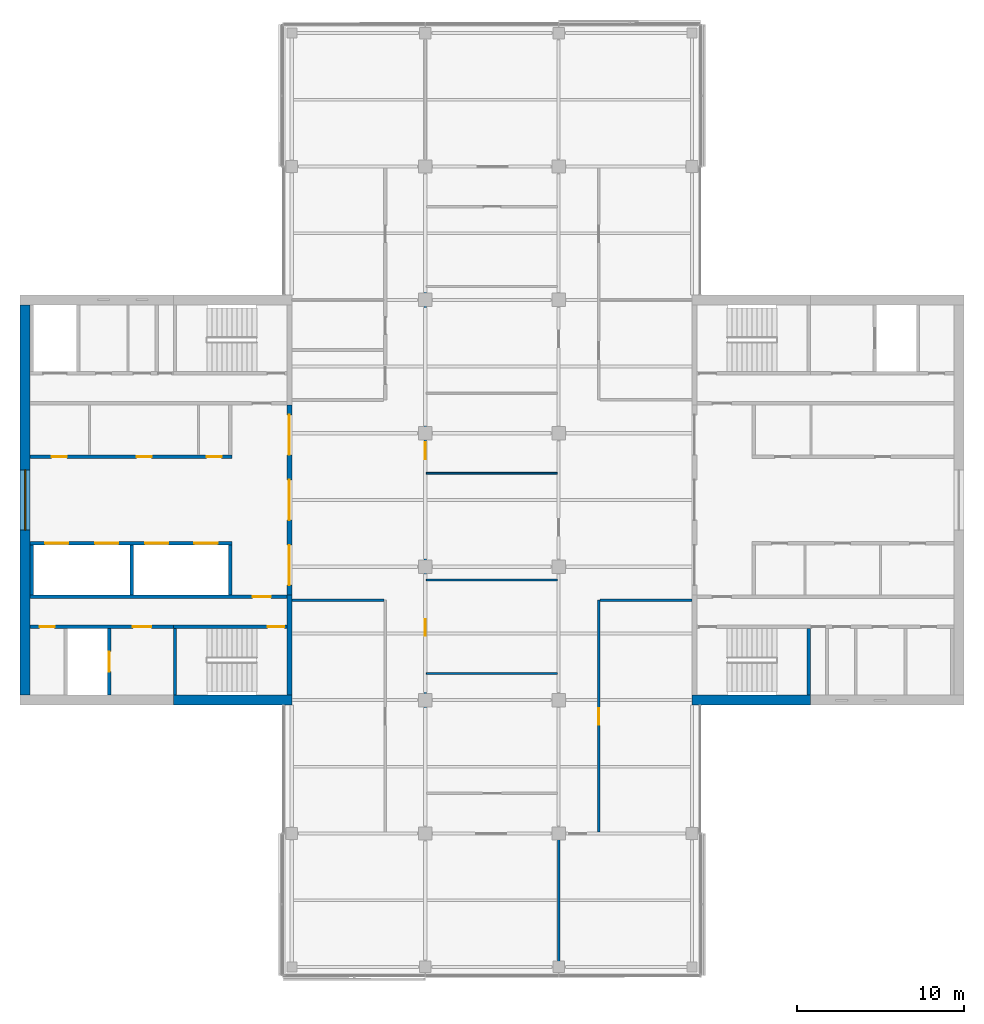
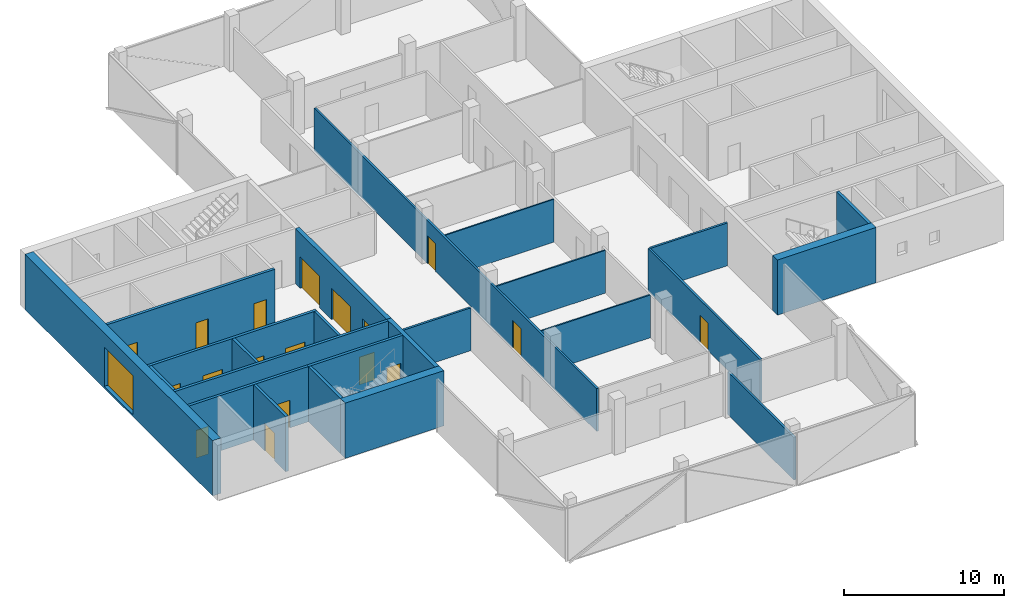
# One storey, part 9 of 15: 24 walls, 18 doors, 1 window, 19 openings.
"""IFC4 building model written with IfcOpenShell, lengths in metres."""

from ifc_helpers import new_model, si_unit, direction, frame, frame_2d, origin, place, context, subcontext, project, spatial, rectangle, extrude, material, layer, layer_set, constituent, constituent_set, type_object, element, fill, save


model = new_model("IFC4")

# Units and contexts
model_context = context("Model", 3, precision=1e-05, world=origin(), true_north=direction((0.0, 1.0)))
body_context = subcontext(model_context, "Body", "Model", "MODEL_VIEW")
ifc_project = project(units=[si_unit("LENGTHUNIT", "METRE"), si_unit("AREAUNIT", "SQUARE_METRE"), si_unit("VOLUMEUNIT", "CUBIC_METRE"), si_unit("PLANEANGLEUNIT", "RADIAN"), si_unit("MASSUNIT", "GRAM", prefix="KILO")], contexts=[model_context])

# Site, building, storey
site_placement = place(None, origin())
site = spatial("IfcSite", under=ifc_project, at=site_placement, CompositionType="ELEMENT")
building_placement = place(site_placement, origin())
building = spatial("IfcBuilding", under=site, at=building_placement, Name="Crosswind Convention Tower", CompositionType="ELEMENT")
storey_placement = place(building_placement, frame((0.0, 0.0, 233.5)))
storey = spatial("IfcBuildingStorey", under=building, at=storey_placement, Name="L50", CompositionType="ELEMENT", Elevation=233.5)

# Wall, openings, doors
ifc_material_1 = material(Name="Concrete C50/60", Category="concrete")
ifc_layer_1 = layer(ifc_material_1, 0.300048828125)
ifc_layer_set_1 = layer_set([ifc_layer_1], Name="Concrete C50/60")
wall_type_1 = type_object("IfcWallType", Name="Concrete inner core wall 300", PredefinedType="SHEAR", material=ifc_layer_set_1)
wall_1_placement = place(storey_placement, frame((112.85009765625, 105.699951171875, 0.0), z_axis=(0.0, 0.0, 1.0), x_axis=(0.0, -1.0, 0.0)))
wall_1 = element("IfcWall", 1, at=wall_1_placement, inside=storey, type_object=wall_type_1, Name="Wall SCR W L50", PredefinedType="SHEAR", context=body_context, shape_type="SweptSolid", body=[
    extrude(rectangle(XDim=11.39990234375, YDim=0.300048828125, at=frame_2d((5.699951171875, 0.0))), origin(), (0.0, 0.0, 1.0), 4.199951171875),
])
opening_1_placement = place(wall_1_placement, frame((0.60009765625, 0.0, 0.0)))
opening_1 = element("IfcOpeningElement", 2, at=opening_1_placement, cuts=wall_1, Name="Opening D100", PredefinedType="OPENING", context=body_context, shape_type="SweptSolid", body=[
    extrude(rectangle(XDim=2.39990234375, YDim=2.39990234375, at=frame_2d((1.199951171875, 1.199951171875))), frame((0.0, 0.159912109375, 0.0), z_axis=(0.0, -1.0, 0.0), x_axis=(1.0, 0.0, 0.0)), (0.0, 0.0, 1.0), 0.320068359375),
])
opening_2_placement = place(wall_1_placement, frame((4.5, 0.0, 0.0)))
opening_2 = element("IfcOpeningElement", 3, at=opening_2_placement, cuts=wall_1, Name="Opening D100", PredefinedType="OPENING", context=body_context, shape_type="SweptSolid", body=[
    extrude(rectangle(XDim=2.39990234375, YDim=2.39990234375, at=frame_2d((1.199951171875, 1.199951171875))), frame((0.0, 0.159912109375, 0.0), z_axis=(0.0, -1.0, 0.0), x_axis=(1.0, 0.0, 0.0)), (0.0, 0.0, 1.0), 0.320068359375),
])
opening_3_placement = place(wall_1_placement, frame((8.39990234375, 0.0, 0.0)))
opening_3 = element("IfcOpeningElement", 4, at=opening_3_placement, cuts=wall_1, Name="Opening D100", PredefinedType="OPENING", context=body_context, shape_type="SweptSolid", body=[
    extrude(rectangle(XDim=2.39990234375, YDim=2.39990234375, at=frame_2d((1.199951171875, 1.199951171875))), frame((0.0, 0.159912109375, 0.0), z_axis=(0.0, -1.0, 0.0), x_axis=(1.0, 0.0, 0.0)), (0.0, 0.0, 1.0), 0.320068359375),
])
ifc_material_2 = material(Name="Steel fire door with glazed vision panels", Category="steel")
door_type_1 = type_object("IfcDoorType", Name="Fire-rated double door 2400x2400", OperationType="DOUBLE_DOOR_SINGLE_SWING", PredefinedType="DOOR", material=ifc_material_2)
door_1_placement = place(opening_1_placement, origin())
door_1 = element("IfcDoor", 5, at=door_1_placement, inside=storey, type_object=door_type_1, Name="Lobby door 1 L50", ObjectType="D100", OperationType="DOUBLE_DOOR_SINGLE_SWING", OverallHeight=2.39990234375, OverallWidth=2.39990234375, PredefinedType="DOOR", context=body_context, shape_type="SweptSolid", body=[
    extrude(rectangle(XDim=2.39990234375, YDim=2.39990234375, at=frame_2d((1.199951171875, 1.199951171875))), frame((0.0, 0.02490234375, 0.0), z_axis=(0.0, -1.0, 0.0), x_axis=(1.0, 0.0, 0.0)), (0.0, 0.0, 1.0), 0.050048828125),
])
fill(opening_1, door_1)
door_2_placement = place(opening_2_placement, origin())
door_2 = element("IfcDoor", 6, at=door_2_placement, inside=storey, type_object=door_type_1, Name="Lobby door 2 L50", ObjectType="D100", OperationType="DOUBLE_DOOR_SINGLE_SWING", OverallHeight=2.39990234375, OverallWidth=2.39990234375, PredefinedType="DOOR", context=body_context, shape_type="SweptSolid", body=[
    extrude(rectangle(XDim=2.39990234375, YDim=2.39990234375, at=frame_2d((1.199951171875, 1.199951171875))), frame((0.0, 0.02490234375, 0.0), z_axis=(0.0, -1.0, 0.0), x_axis=(1.0, 0.0, 0.0)), (0.0, 0.0, 1.0), 0.050048828125),
])
fill(opening_2, door_2)
door_3_placement = place(opening_3_placement, origin())
door_3 = element("IfcDoor", 7, at=door_3_placement, inside=storey, type_object=door_type_1, Name="Lobby door 3 L50", ObjectType="D100", OperationType="DOUBLE_DOOR_SINGLE_SWING", OverallHeight=2.39990234375, OverallWidth=2.39990234375, PredefinedType="DOOR", context=body_context, shape_type="SweptSolid", body=[
    extrude(rectangle(XDim=2.39990234375, YDim=2.39990234375, at=frame_2d((1.199951171875, 1.199951171875))), frame((0.0, 0.02490234375, 0.0), z_axis=(0.0, -1.0, 0.0), x_axis=(1.0, 0.0, 0.0)), (0.0, 0.0, 1.0), 0.050048828125),
])
fill(opening_3, door_3)

# Walls
wall_2_placement = place(storey_placement, frame((112.85009765625, 94.300048828125, 0.0), z_axis=(0.0, 0.0, 1.0), x_axis=(0.0, -1.0, 0.0)))
element("IfcWall", 8, at=wall_2_placement, inside=storey, type_object=wall_type_1, Name="Wall EP W L50", PredefinedType="SHEAR", context=body_context, shape_type="SweptSolid", body=[
    extrude(rectangle(XDim=6.0, YDim=0.300048828125, at=frame_2d((3.0, 0.0))), origin(), (0.0, 0.0, 1.0), 4.199951171875),
])
ifc_layer_2 = layer(ifc_material_1, 0.199951171875)
ifc_layer_set_2 = layer_set([ifc_layer_2], Name="Concrete C50/60")
wall_type_2 = type_object("IfcWallType", Name="Concrete shaft and stair wall 200", PredefinedType="SHEAR", material=ifc_layer_set_2)
wall_3_placement = place(storey_placement, frame((144.0, 88.300048828125, 0.0), z_axis=(0.0, 0.0, 1.0), x_axis=(0.0, 1.0, 0.0)))
element("IfcWall", 9, at=wall_3_placement, inside=storey, type_object=wall_type_2, Name="Wall MSE E L50", PredefinedType="SHEAR", context=body_context, shape_type="SweptSolid", body=[
    extrude(rectangle(XDim=4.0, YDim=0.199951171875, at=frame_2d((2.0, 0.0))), origin(), (0.0, 0.0, 1.0), 4.199951171875),
])
for number, where, z_axis, x_axis, name in (
    (10, (109.300048828125, 97.300048828125, 0.0), (0.0, 0.0, 1.0), (0.0, -1.0, 0.0), "Wall RPEND W L50"),
    (11, (103.39990234375, 97.300048828125, 0.0), (0.0, 0.0, 1.0), (0.0, -1.0, 0.0), "Wall RPSEP W L50"),
    (12, (97.39990234375, 97.300048828125, 0.0), (0.0, 0.0, 1.0), (0.0, -1.0, 0.0), "Wall RPEAST W L50"),
):
    element("IfcWall", number, at=place(storey_placement, frame(where, z_axis=z_axis, x_axis=x_axis)), inside=storey, type_object=wall_type_2, Name=name, PredefinedType="SHEAR", context=body_context, shape_type="SweptSolid", body=[
        extrude(rectangle(XDim=3.0, YDim=0.199951171875, at=frame_2d((1.5, 0.0))), origin(), (0.0, 0.0, 1.0), 4.199951171875),
    ])

# Wall, openings, doors
wall_4_placement = place(storey_placement, frame((109.39990234375, 97.39990234375, 0.0), z_axis=(0.0, 0.0, 1.0), x_axis=(-1.0, 0.0, 0.0)))
wall_4 = element("IfcWall", 13, at=wall_4_placement, inside=storey, type_object=wall_type_2, Name="Wall RPFRONT W L50", PredefinedType="SHEAR", context=body_context, shape_type="SweptSolid", body=[
    extrude(rectangle(XDim=12.099853515625, YDim=0.199951171875, at=frame_2d((6.0498046875, 0.0))), origin(), (0.0, 0.0, 1.0), 4.199951171875),
])
opening_4_placement = place(wall_4_placement, frame((0.85009765625, 0.0, 0.0)))
opening_4 = element("IfcOpeningElement", 14, at=opening_4_placement, cuts=wall_4, Name="Opening LD2", PredefinedType="OPENING", context=body_context, shape_type="SweptSolid", body=[
    extrude(rectangle(XDim=1.39990234375, YDim=2.10009765625, at=frame_2d((0.699951171875, 1.050048828125))), frame((0.0, 0.10986328125, 0.0), z_axis=(0.0, -1.0, 0.0), x_axis=(1.0, 0.0, 0.0)), (0.0, 0.0, 1.0), 0.219970703125),
])
opening_5_placement = place(wall_4_placement, frame((3.800048828125, 0.0, 0.0)))
opening_5 = element("IfcOpeningElement", 15, at=opening_5_placement, cuts=wall_4, Name="Opening LD2", PredefinedType="OPENING", context=body_context, shape_type="SweptSolid", body=[
    extrude(rectangle(XDim=1.39990234375, YDim=2.10009765625, at=frame_2d((0.699951171875, 1.050048828125))), frame((0.0, 0.10986328125, 0.0), z_axis=(0.0, -1.0, 0.0), x_axis=(1.0, 0.0, 0.0)), (0.0, 0.0, 1.0), 0.219970703125),
])
opening_6_placement = place(wall_4_placement, frame((6.800048828125, 0.0, 0.0)))
opening_6 = element("IfcOpeningElement", 16, at=opening_6_placement, cuts=wall_4, Name="Opening LD2", PredefinedType="OPENING", context=body_context, shape_type="SweptSolid", body=[
    extrude(rectangle(XDim=1.39990234375, YDim=2.10009765625, at=frame_2d((0.699951171875, 1.050048828125))), frame((0.0, 0.10986328125, 0.0), z_axis=(0.0, -1.0, 0.0), x_axis=(1.0, 0.0, 0.0)), (0.0, 0.0, 1.0), 0.219970703125),
])
opening_7_placement = place(wall_4_placement, frame((9.800048828125, 0.0, 0.0)))
opening_7 = element("IfcOpeningElement", 17, at=opening_7_placement, cuts=wall_4, Name="Opening LD2", PredefinedType="OPENING", context=body_context, shape_type="SweptSolid", body=[
    extrude(rectangle(XDim=1.39990234375, YDim=2.10009765625, at=frame_2d((0.699951171875, 1.050048828125))), frame((0.0, 0.10986328125, 0.0), z_axis=(0.0, -1.0, 0.0), x_axis=(1.0, 0.0, 0.0)), (0.0, 0.0, 1.0), 0.219970703125),
])
ifc_material_3 = material(Name="Stainless steel", Category="steel")
door_type_2 = type_object("IfcDoorType", Name="Lift landing door 1400x2100", OperationType="DOUBLE_DOOR_SLIDING", PredefinedType="DOOR", material=ifc_material_3)
door_4_placement = place(opening_4_placement, origin())
door_4 = element("IfcDoor", 18, at=door_4_placement, inside=storey, type_object=door_type_2, Name="Landing door HR1 L50", ObjectType="LD2", OperationType="DOUBLE_DOOR_SLIDING", OverallHeight=2.10009765625, OverallWidth=1.39990234375, PredefinedType="DOOR", context=body_context, shape_type="SweptSolid", body=[
    extrude(rectangle(XDim=1.39990234375, YDim=2.10009765625, at=frame_2d((0.699951171875, 1.050048828125))), frame((0.0, 0.02490234375, 0.0), z_axis=(0.0, -1.0, 0.0), x_axis=(1.0, 0.0, 0.0)), (0.0, 0.0, 1.0), 0.050048828125),
])
fill(opening_4, door_4)
door_5_placement = place(opening_5_placement, origin())
door_5 = element("IfcDoor", 19, at=door_5_placement, inside=storey, type_object=door_type_2, Name="Landing door HR2 L50", ObjectType="LD2", OperationType="DOUBLE_DOOR_SLIDING", OverallHeight=2.10009765625, OverallWidth=1.39990234375, PredefinedType="DOOR", context=body_context, shape_type="SweptSolid", body=[
    extrude(rectangle(XDim=1.39990234375, YDim=2.10009765625, at=frame_2d((0.699951171875, 1.050048828125))), frame((0.0, 0.02490234375, 0.0), z_axis=(0.0, -1.0, 0.0), x_axis=(1.0, 0.0, 0.0)), (0.0, 0.0, 1.0), 0.050048828125),
])
fill(opening_5, door_5)
door_6_placement = place(opening_6_placement, origin())
door_6 = element("IfcDoor", 20, at=door_6_placement, inside=storey, type_object=door_type_2, Name="Landing door HR3 L50", ObjectType="LD2", OperationType="DOUBLE_DOOR_SLIDING", OverallHeight=2.10009765625, OverallWidth=1.39990234375, PredefinedType="DOOR", context=body_context, shape_type="SweptSolid", body=[
    extrude(rectangle(XDim=1.39990234375, YDim=2.10009765625, at=frame_2d((0.699951171875, 1.050048828125))), frame((0.0, 0.02490234375, 0.0), z_axis=(0.0, -1.0, 0.0), x_axis=(1.0, 0.0, 0.0)), (0.0, 0.0, 1.0), 0.050048828125),
])
fill(opening_6, door_6)
door_7_placement = place(opening_7_placement, origin())
door_7 = element("IfcDoor", 21, at=door_7_placement, inside=storey, type_object=door_type_2, Name="Landing door HR4 L50", ObjectType="LD2", OperationType="DOUBLE_DOOR_SLIDING", OverallHeight=2.10009765625, OverallWidth=1.39990234375, PredefinedType="DOOR", context=body_context, shape_type="SweptSolid", body=[
    extrude(rectangle(XDim=1.39990234375, YDim=2.10009765625, at=frame_2d((0.699951171875, 1.050048828125))), frame((0.0, 0.02490234375, 0.0), z_axis=(0.0, -1.0, 0.0), x_axis=(1.0, 0.0, 0.0)), (0.0, 0.0, 1.0), 0.050048828125),
])
fill(opening_7, door_7)

wall_5_placement = place(storey_placement, frame((109.39990234375, 102.60009765625, 0.0), z_axis=(0.0, 0.0, 1.0), x_axis=(-1.0, 0.0, 0.0)))
wall_5 = element("IfcWall", 22, at=wall_5_placement, inside=storey, type_object=wall_type_2, Name="Wall RMFRONT W L50", PredefinedType="SHEAR", context=body_context, shape_type="SweptSolid", body=[
    extrude(rectangle(XDim=12.099853515625, YDim=0.199951171875, at=frame_2d((6.0498046875, 0.0))), origin(), (0.0, 0.0, 1.0), 4.199951171875),
])
opening_8_placement = place(wall_5_placement, frame((0.611328125, 0.0, 0.0)))
opening_8 = element("IfcOpeningElement", 23, at=opening_8_placement, cuts=wall_5, Name="Opening D106", PredefinedType="OPENING", context=body_context, shape_type="SweptSolid", body=[
    extrude(rectangle(XDim=0.89990234375, YDim=2.10009765625, at=frame_2d((0.449951171875, 1.050048828125))), frame((0.0, 0.10986328125, 0.0), z_axis=(0.0, -1.0, 0.0), x_axis=(1.0, 0.0, 0.0)), (0.0, 0.0, 1.0), 0.219970703125),
])
opening_9_placement = place(wall_5_placement, frame((4.8076171875, 0.0, 0.0)))
opening_9 = element("IfcOpeningElement", 24, at=opening_9_placement, cuts=wall_5, Name="Opening D106", PredefinedType="OPENING", context=body_context, shape_type="SweptSolid", body=[
    extrude(rectangle(XDim=0.89990234375, YDim=2.10009765625, at=frame_2d((0.449951171875, 1.050048828125))), frame((0.0, 0.10986328125, 0.0), z_axis=(0.0, -1.0, 0.0), x_axis=(1.0, 0.0, 0.0)), (0.0, 0.0, 1.0), 0.219970703125),
])
opening_10_placement = place(wall_5_placement, frame((9.896240234375, 0.0, 0.0)))
opening_10 = element("IfcOpeningElement", 25, at=opening_10_placement, cuts=wall_5, Name="Opening D106", PredefinedType="OPENING", context=body_context, shape_type="SweptSolid", body=[
    extrude(rectangle(XDim=0.89990234375, YDim=2.10009765625, at=frame_2d((0.449951171875, 1.050048828125))), frame((0.0, 0.10986328125, 0.0), z_axis=(0.0, -1.0, 0.0), x_axis=(1.0, 0.0, 0.0)), (0.0, 0.0, 1.0), 0.219970703125),
])
ifc_material_4 = material(Name="Timber door", Category="wood")
door_type_3 = type_object("IfcDoorType", Name="Single leaf door 900x2100", OperationType="NOTDEFINED", PredefinedType="DOOR", material=ifc_material_4)
door_8_placement = place(opening_8_placement, frame((0.89990234375, 0.0, 0.0), z_axis=(0.0, 0.0, 1.0), x_axis=(-1.0, 0.0, 0.0)))
door_8 = element("IfcDoor", 26, at=door_8_placement, inside=storey, type_object=door_type_3, Name="Door to pantry L50", ObjectType="D106", OperationType="SINGLE_SWING_LEFT", OverallHeight=2.10009765625, OverallWidth=0.89990234375, PredefinedType="DOOR", context=body_context, shape_type="SweptSolid", body=[
    extrude(rectangle(XDim=0.89990234375, YDim=2.10009765625, at=frame_2d((0.449951171875, 1.050048828125))), frame((0.0, 0.02490234375, 0.0), z_axis=(0.0, -1.0, 0.0), x_axis=(1.0, 0.0, 0.0)), (0.0, 0.0, 1.0), 0.050048828125),
])
fill(opening_8, door_8)
door_9_placement = place(opening_9_placement, frame((0.89990234375, 0.0, 0.0), z_axis=(0.0, 0.0, 1.0), x_axis=(-1.0, 0.0, 0.0)))
door_9 = element("IfcDoor", 27, at=door_9_placement, inside=storey, type_object=door_type_3, Name="Door to telecoms room L50", ObjectType="D106", OperationType="SINGLE_SWING_LEFT", OverallHeight=2.10009765625, OverallWidth=0.89990234375, PredefinedType="DOOR", context=body_context, shape_type="SweptSolid", body=[
    extrude(rectangle(XDim=0.89990234375, YDim=2.10009765625, at=frame_2d((0.449951171875, 1.050048828125))), frame((0.0, 0.02490234375, 0.0), z_axis=(0.0, -1.0, 0.0), x_axis=(1.0, 0.0, 0.0)), (0.0, 0.0, 1.0), 0.050048828125),
])
fill(opening_9, door_9)
door_10_placement = place(opening_10_placement, frame((0.89990234375, 0.0, 0.0), z_axis=(0.0, 0.0, 1.0), x_axis=(-1.0, 0.0, 0.0)))
door_10 = element("IfcDoor", 28, at=door_10_placement, inside=storey, type_object=door_type_3, Name="Door to storeroom L50", ObjectType="D106", OperationType="SINGLE_SWING_LEFT", OverallHeight=2.10009765625, OverallWidth=0.89990234375, PredefinedType="DOOR", context=body_context, shape_type="SweptSolid", body=[
    extrude(rectangle(XDim=0.89990234375, YDim=2.10009765625, at=frame_2d((0.449951171875, 1.050048828125))), frame((0.0, 0.02490234375, 0.0), z_axis=(0.0, -1.0, 0.0), x_axis=(1.0, 0.0, 0.0)), (0.0, 0.0, 1.0), 0.050048828125),
])
fill(opening_10, door_10)

# Wall, opening, door
wall_6_placement = place(storey_placement, frame((112.699951171875, 94.199951171875, 0.0), z_axis=(0.0, 0.0, 1.0), x_axis=(-1.0, 0.0, 0.0)))
wall_6 = element("IfcWall", 29, at=wall_6_placement, inside=storey, type_object=wall_type_2, Name="Wall HP W L50", PredefinedType="SHEAR", context=body_context, shape_type="SweptSolid", body=[
    extrude(rectangle(XDim=15.39990234375, YDim=0.199951171875, at=frame_2d((7.699951171875, 0.0))), origin(), (0.0, 0.0, 1.0), 4.199951171875),
])
opening_11_placement = place(wall_6_placement, frame((0.949951171875, 0.0, 0.0)))
opening_11 = element("IfcOpeningElement", 30, at=opening_11_placement, cuts=wall_6, Name="Opening D104", PredefinedType="OPENING", context=body_context, shape_type="SweptSolid", body=[
    extrude(rectangle(XDim=1.10009765625, YDim=2.10009765625, at=frame_2d((0.550048828125, 1.050048828125))), frame((0.0, 0.10986328125, 0.0), z_axis=(0.0, -1.0, 0.0), x_axis=(1.0, 0.0, 0.0)), (0.0, 0.0, 1.0), 0.219970703125),
])
ifc_material_5 = material(Name="Steel fire door", Category="steel")
door_type_4 = type_object("IfcDoorType", Name="Fire-rated single door 1100x2100", OperationType="NOTDEFINED", PredefinedType="DOOR", material=ifc_material_5)
door_11_placement = place(opening_11_placement, origin())
door_11 = element("IfcDoor", 31, at=door_11_placement, inside=storey, type_object=door_type_4, Name="Corridor door L50", ObjectType="D104", OperationType="SINGLE_SWING_LEFT", OverallHeight=2.10009765625, OverallWidth=1.10009765625, PredefinedType="DOOR", context=body_context, shape_type="SweptSolid", body=[
    extrude(rectangle(XDim=1.10009765625, YDim=2.10009765625, at=frame_2d((0.550048828125, 1.050048828125))), frame((0.0, 0.02490234375, 0.0), z_axis=(0.0, -1.0, 0.0), x_axis=(1.0, 0.0, 0.0)), (0.0, 0.0, 1.0), 0.050048828125),
])
fill(opening_11, door_11)

# Wall
wall_7_placement = place(storey_placement, frame((106.0, 92.300048828125, 0.0), z_axis=(0.0, 0.0, 1.0), x_axis=(0.0, -1.0, 0.0)))
element("IfcWall", 32, at=wall_7_placement, inside=storey, type_object=wall_type_2, Name="Wall PSE W L50", PredefinedType="SHEAR", context=body_context, shape_type="SweptSolid", body=[
    extrude(rectangle(XDim=4.0, YDim=0.199951171875, at=frame_2d((2.0, 0.0))), origin(), (0.0, 0.0, 1.0), 4.199951171875),
])

# Wall, opening, door
wall_8_placement = place(storey_placement, frame((102.050048828125, 92.300048828125, 0.0), z_axis=(0.0, 0.0, 1.0), x_axis=(0.0, -1.0, 0.0)))
wall_8 = element("IfcWall", 33, at=wall_8_placement, inside=storey, type_object=wall_type_2, Name="Wall PFLW W L50", PredefinedType="SHEAR", context=body_context, shape_type="SweptSolid", body=[
    extrude(rectangle(XDim=4.0, YDim=0.199951171875, at=frame_2d((2.0, 0.0))), origin(), (0.0, 0.0, 1.0), 4.199951171875),
])
opening_12_placement = place(wall_8_placement, frame((1.39990234375, 0.0, 0.0)))
opening_12 = element("IfcOpeningElement", 34, at=opening_12_placement, cuts=wall_8, Name="Opening LD1", PredefinedType="OPENING", context=body_context, shape_type="SweptSolid", body=[
    extrude(rectangle(XDim=1.199951171875, YDim=2.10009765625, at=frame_2d((0.60009765625, 1.050048828125))), frame((0.0, 0.10986328125, 0.0), z_axis=(0.0, -1.0, 0.0), x_axis=(1.0, 0.0, 0.0)), (0.0, 0.0, 1.0), 0.219970703125),
])
door_type_5 = type_object("IfcDoorType", Name="Lift landing door 1200x2100", OperationType="DOUBLE_DOOR_SLIDING", PredefinedType="DOOR", material=ifc_material_3)
door_12_placement = place(opening_12_placement, origin())
door_12 = element("IfcDoor", 35, at=door_12_placement, inside=storey, type_object=door_type_5, Name="Landing door FF2 L50", ObjectType="LD1", OperationType="DOUBLE_DOOR_SLIDING", OverallHeight=2.10009765625, OverallWidth=1.199951171875, PredefinedType="DOOR", context=body_context, shape_type="SweptSolid", body=[
    extrude(rectangle(XDim=1.199951171875, YDim=2.10009765625, at=frame_2d((0.60009765625, 1.050048828125))), frame((0.0, 0.02490234375, 0.0), z_axis=(0.0, -1.0, 0.0), x_axis=(1.0, 0.0, 0.0)), (0.0, 0.0, 1.0), 0.050048828125),
])
fill(opening_12, door_12)

wall_9_placement = place(storey_placement, frame((112.699951171875, 92.39990234375, 0.0), z_axis=(0.0, 0.0, 1.0), x_axis=(-1.0, 0.0, 0.0)))
wall_9 = element("IfcWall", 36, at=wall_9_placement, inside=storey, type_object=wall_type_2, Name="Wall PCW W L50", PredefinedType="SHEAR", context=body_context, shape_type="SweptSolid", body=[
    extrude(rectangle(XDim=6.800048828125, YDim=0.199951171875, at=frame_2d((3.39990234375, 0.0))), origin(), (0.0, 0.0, 1.0), 4.199951171875),
])
opening_13_placement = place(wall_9_placement, frame((0.14990234375, 0.0, 0.0)))
opening_13 = element("IfcOpeningElement", 37, at=opening_13_placement, cuts=wall_9, Name="Opening D103", PredefinedType="OPENING", context=body_context, shape_type="SweptSolid", body=[
    extrude(rectangle(XDim=1.0, YDim=2.10009765625, at=frame_2d((0.5, 1.050048828125))), frame((0.0, 0.10986328125, 0.0), z_axis=(0.0, -1.0, 0.0), x_axis=(1.0, 0.0, 0.0)), (0.0, 0.0, 1.0), 0.219970703125),
])
door_type_6 = type_object("IfcDoorType", Name="Fire-rated single door 1000x2100", OperationType="NOTDEFINED", PredefinedType="DOOR", material=ifc_material_5)
door_13_placement = place(opening_13_placement, origin())
door_13 = element("IfcDoor", 38, at=door_13_placement, inside=storey, type_object=door_type_6, Name="Stair ST3 door L50", ObjectType="D103", OperationType="SINGLE_SWING_LEFT", OverallHeight=2.10009765625, OverallWidth=1.0, PredefinedType="DOOR", context=body_context, shape_type="SweptSolid", body=[
    extrude(rectangle(XDim=1.0, YDim=2.10009765625, at=frame_2d((0.5, 1.050048828125))), frame((0.0, 0.02490234375, 0.0), z_axis=(0.0, -1.0, 0.0), x_axis=(1.0, 0.0, 0.0)), (0.0, 0.0, 1.0), 0.050048828125),
])
fill(opening_13, door_13)

# Wall, openings, doors
wall_10_placement = place(storey_placement, frame((105.89990234375, 92.39990234375, 0.0), z_axis=(0.0, 0.0, 1.0), x_axis=(-1.0, 0.0, 0.0)))
wall_10 = element("IfcWall", 39, at=wall_10_placement, inside=storey, type_object=wall_type_2, Name="Wall PCX W L50", PredefinedType="SHEAR", context=body_context, shape_type="SweptSolid", body=[
    extrude(rectangle(XDim=8.599853515625, YDim=0.199951171875, at=frame_2d((4.2998046875, 0.0))), origin(), (0.0, 0.0, 1.0), 4.199951171875),
])
opening_14_placement = place(wall_10_placement, frame((1.324951171875, 0.0, 0.0)))
opening_14 = element("IfcOpeningElement", 40, at=opening_14_placement, cuts=wall_10, Name="Opening D104", PredefinedType="OPENING", context=body_context, shape_type="SweptSolid", body=[
    extrude(rectangle(XDim=1.10009765625, YDim=2.10009765625, at=frame_2d((0.550048828125, 1.050048828125))), frame((0.0, 0.10986328125, 0.0), z_axis=(0.0, -1.0, 0.0), x_axis=(1.0, 0.0, 0.0)), (0.0, 0.0, 1.0), 0.219970703125),
])
opening_15_placement = place(wall_10_placement, frame((7.125, 0.0, 0.0)))
opening_15 = element("IfcOpeningElement", 41, at=opening_15_placement, cuts=wall_10, Name="Opening D106", PredefinedType="OPENING", context=body_context, shape_type="SweptSolid", body=[
    extrude(rectangle(XDim=0.89990234375, YDim=2.10009765625, at=frame_2d((0.449951171875, 1.050048828125))), frame((0.0, 0.10986328125, 0.0), z_axis=(0.0, -1.0, 0.0), x_axis=(1.0, 0.0, 0.0)), (0.0, 0.0, 1.0), 0.219970703125),
])
door_14_placement = place(opening_14_placement, origin())
door_14 = element("IfcDoor", 42, at=door_14_placement, inside=storey, type_object=door_type_4, Name="Fire-fighting lobby FF2 door L50", ObjectType="D104", OperationType="SINGLE_SWING_RIGHT", OverallHeight=2.10009765625, OverallWidth=1.10009765625, PredefinedType="DOOR", context=body_context, shape_type="SweptSolid", body=[
    extrude(rectangle(XDim=1.10009765625, YDim=2.10009765625, at=frame_2d((0.550048828125, 1.050048828125))), frame((0.0, 0.02490234375, 0.0), z_axis=(0.0, -1.0, 0.0), x_axis=(1.0, 0.0, 0.0)), (0.0, 0.0, 1.0), 0.050048828125),
])
fill(opening_14, door_14)
door_15_placement = place(opening_15_placement, origin())
door_15 = element("IfcDoor", 43, at=door_15_placement, inside=storey, type_object=door_type_3, Name="Door to comms room L50", ObjectType="D106", OperationType="SINGLE_SWING_RIGHT", OverallHeight=2.10009765625, OverallWidth=0.89990234375, PredefinedType="DOOR", context=body_context, shape_type="SweptSolid", body=[
    extrude(rectangle(XDim=0.89990234375, YDim=2.10009765625, at=frame_2d((0.449951171875, 1.050048828125))), frame((0.0, 0.02490234375, 0.0), z_axis=(0.0, -1.0, 0.0), x_axis=(1.0, 0.0, 0.0)), (0.0, 0.0, 1.0), 0.050048828125),
])
fill(opening_15, door_15)

# Walls
ifc_material_6 = material(Name="Plasterboard partition", Category="gypsum")
ifc_layer_3 = layer(ifc_material_6, 0.10009765625)
ifc_layer_set_3 = layer_set([ifc_layer_3], Name="PARTITION 100 METAL STUD")
wall_type_3 = type_object("IfcWallType", Name="PARTITION 100 METAL STUD", PredefinedType="PARTITIONING", material=ifc_layer_set_3)
for number, where, z_axis, x_axis, name in (
    (44, (121.074951171875, 89.60009765625, 0.0), (0.0, 0.0, 1.0), (1.0, 0.0, 0.0), "Partition wall WT40"),
    (45, (121.074951171875, 95.199951171875, 0.0), (0.0, 0.0, 1.0), (1.0, 0.0, 0.0), "Partition wall WT40"),
    (46, (121.074951171875, 101.60009765625, 0.0), (0.0, 0.0, 1.0), (1.0, 0.0, 0.0), "Partition wall WT40"),
):
    element("IfcWall", number, at=place(storey_placement, frame(where, z_axis=z_axis, x_axis=x_axis)), inside=storey, type_object=wall_type_3, Name=name, PredefinedType="PARTITIONING", context=body_context, shape_type="SweptSolid", body=[
        extrude(rectangle(XDim=7.85009765625, YDim=0.10009765625, at=frame_2d((3.925048828125, 0.0))), origin(), (0.0, 0.0, 1.0), 3.25537109375),
    ])

# Wall, openings, doors
ifc_material_7 = material(Name="Fire-board partition with mineral wool", Category="gypsum")
ifc_layer_4 = layer(ifc_material_7, 0.14990234375)
ifc_layer_set_4 = layer_set([ifc_layer_4], Name="TENANCY WALL 150 TWO-HOUR BOARD")
wall_type_4 = type_object("IfcWallType", Name="TENANCY WALL 150 TWO-HOUR BOARD", PredefinedType="PARTITIONING", material=ifc_layer_set_4)
wall_11_placement = place(storey_placement, frame((121.0, 82.39990234375, 0.0), z_axis=(0.0, 0.0, 1.0), x_axis=(0.0, 1.0, 0.0)))
wall_11 = element("IfcWall", 47, at=wall_11_placement, inside=storey, type_object=wall_type_4, Name="Tenancy wall WT41", PredefinedType="PARTITIONING", context=body_context, shape_type="SweptSolid", body=[
    extrude(rectangle(XDim=35.2001953125, YDim=0.14990234375, at=frame_2d((17.60009765625, 0.0))), origin(), (0.0, 0.0, 1.0), 3.25537109375),
])
opening_16_placement = place(wall_11_placement, frame((9.449951171875, 0.0, 0.0)))
opening_16 = element("IfcOpeningElement", 48, at=opening_16_placement, cuts=wall_11, Name="Opening L50-61", PredefinedType="OPENING", context=body_context, shape_type="SweptSolid", body=[
    extrude(rectangle(XDim=1.0, YDim=2.10009765625, at=frame_2d((0.5, 1.050048828125))), frame((0.0, 0.0849609375, 0.0), z_axis=(0.0, -1.0, 0.0), x_axis=(1.0, 0.0, 0.0)), (0.0, 0.0, 1.0), 0.169921875),
])
opening_17_placement = place(wall_11_placement, frame((20.050048828125, 0.0, 0.0)))
opening_17 = element("IfcOpeningElement", 49, at=opening_17_placement, cuts=wall_11, Name="Opening L50-63", PredefinedType="OPENING", context=body_context, shape_type="SweptSolid", body=[
    extrude(rectangle(XDim=1.0, YDim=2.10009765625, at=frame_2d((0.5, 1.050048828125))), frame((0.0, 0.0849609375, 0.0), z_axis=(0.0, -1.0, 0.0), x_axis=(1.0, 0.0, 0.0)), (0.0, 0.0, 1.0), 0.169921875),
])
ifc_material_8 = material(Name="Timber fire door", Category="wood")
door_type_7 = type_object("IfcDoorType", Name="TENANCY ENTRANCE DOOR 1000X2100 FD30S", OperationType="NOTDEFINED", PredefinedType="DOOR", material=ifc_material_8)
door_16_placement = place(opening_16_placement, frame((1.0, 0.0, 0.0), z_axis=(0.0, 0.0, 1.0), x_axis=(-1.0, 0.0, 0.0)))
door_16 = element("IfcDoor", 50, at=door_16_placement, inside=storey, type_object=door_type_7, Name="Door L50-61", ObjectType="D41", OperationType="SINGLE_SWING_RIGHT", OverallHeight=2.10009765625, OverallWidth=1.0, PredefinedType="DOOR", context=body_context, shape_type="SweptSolid", body=[
    extrude(rectangle(XDim=1.0, YDim=2.10009765625, at=frame_2d((0.5, 1.050048828125))), frame((0.0, 0.02490234375, 0.0), z_axis=(0.0, -1.0, 0.0), x_axis=(1.0, 0.0, 0.0)), (0.0, 0.0, 1.0), 0.050048828125),
])
fill(opening_16, door_16)
door_17_placement = place(opening_17_placement, frame((1.0, 0.0, 0.0), z_axis=(0.0, 0.0, 1.0), x_axis=(-1.0, 0.0, 0.0)))
door_17 = element("IfcDoor", 51, at=door_17_placement, inside=storey, type_object=door_type_7, Name="Door L50-63", ObjectType="D41", OperationType="SINGLE_SWING_LEFT", OverallHeight=2.10009765625, OverallWidth=1.0, PredefinedType="DOOR", context=body_context, shape_type="SweptSolid", body=[
    extrude(rectangle(XDim=1.0, YDim=2.10009765625, at=frame_2d((0.5, 1.050048828125))), frame((0.0, 0.02490234375, 0.0), z_axis=(0.0, -1.0, 0.0), x_axis=(1.0, 0.0, 0.0)), (0.0, 0.0, 1.0), 0.050048828125),
])
fill(opening_17, door_17)

# Wall
wall_12_placement = place(storey_placement, frame((129.0, 71.679931640625, 0.0), z_axis=(0.0, 0.0, 1.0), x_axis=(0.0, 1.0, 0.0)))
element("IfcWall", 52, at=wall_12_placement, inside=storey, type_object=wall_type_4, Name="Tenancy wall WT41", PredefinedType="PARTITIONING", context=body_context, shape_type="SweptSolid", body=[
    extrude(rectangle(XDim=8.2451171875, YDim=0.14990234375, at=frame_2d((4.12255859375, 0.0))), origin(), (0.0, 0.0, 1.0), 3.25537109375),
])

# Wall, opening, door
wall_13_placement = place(storey_placement, frame((131.39990234375, 80.074951171875, 0.0), z_axis=(0.0, 0.0, 1.0), x_axis=(0.0, 1.0, 0.0)))
wall_13 = element("IfcWall", 53, at=wall_13_placement, inside=storey, type_object=wall_type_4, Name="Tenancy wall WT41", PredefinedType="PARTITIONING", context=body_context, shape_type="SweptSolid", body=[
    extrude(rectangle(XDim=13.925048828125, YDim=0.14990234375, at=frame_2d((6.96240234375, 0.0))), origin(), (0.0, 0.0, 1.0), 3.25537109375),
])
opening_18_placement = place(wall_13_placement, frame((6.449951171875, 0.0, 0.0)))
opening_18 = element("IfcOpeningElement", 54, at=opening_18_placement, cuts=wall_13, Name="Opening L50-52", PredefinedType="OPENING", context=body_context, shape_type="SweptSolid", body=[
    extrude(rectangle(XDim=1.0, YDim=2.10009765625, at=frame_2d((0.5, 1.050048828125))), frame((0.0, 0.0849609375, 0.0), z_axis=(0.0, -1.0, 0.0), x_axis=(1.0, 0.0, 0.0)), (0.0, 0.0, 1.0), 0.169921875),
])
door_18_placement = place(opening_18_placement, frame((1.0, 0.0, 0.0), z_axis=(0.0, 0.0, 1.0), x_axis=(-1.0, 0.0, 0.0)))
door_18 = element("IfcDoor", 55, at=door_18_placement, inside=storey, type_object=door_type_7, Name="Door L50-52", ObjectType="D41", OperationType="SINGLE_SWING_LEFT", OverallHeight=2.10009765625, OverallWidth=1.0, PredefinedType="DOOR", context=body_context, shape_type="SweptSolid", body=[
    extrude(rectangle(XDim=1.0, YDim=2.10009765625, at=frame_2d((0.5, 1.050048828125))), frame((0.0, 0.02490234375, 0.0), z_axis=(0.0, -1.0, 0.0), x_axis=(1.0, 0.0, 0.0)), (0.0, 0.0, 1.0), 0.050048828125),
])
fill(opening_18, door_18)

# Walls
for number, where, z_axis, x_axis, name in (
    (56, (113.0, 94.0, 0.0), (0.0, 0.0, 1.0), (1.0, 0.0, 0.0), "Tenancy wall WT41"),
    (57, (131.47509765625, 94.0, 0.0), (0.0, 0.0, 1.0), (1.0, 0.0, 0.0), "Tenancy wall WT41"),
):
    element("IfcWall", number, at=place(storey_placement, frame(where, z_axis=z_axis, x_axis=x_axis)), inside=storey, type_object=wall_type_4, Name=name, PredefinedType="PARTITIONING", context=body_context, shape_type="SweptSolid", body=[
        extrude(rectangle(XDim=5.52490234375, YDim=0.14990234375, at=frame_2d((2.762451171875, 0.0))), origin(), (0.0, 0.0, 1.0), 3.25537109375),
    ])
ifc_material_9 = material(Name="Concrete C60/75", Category="concrete")
ifc_constituent_1 = constituent(ifc_material_9, Name="Structure")
ifc_material_10 = material(Name="Terracotta rainscreen", Category="ceramic")
ifc_constituent_2 = constituent(ifc_material_10, Name="Facing")
ifc_constituent_set = constituent_set(constituents=[ifc_constituent_1, ifc_constituent_2], Name="Concrete C60/75, Terracotta rainscreen")
wall_type_5 = type_object("IfcWallType", Name="Terracotta rainscreen on concrete core wall 600", PredefinedType="SHEAR", material=ifc_constituent_set)
for number, where, z_axis, x_axis, name in (
    (58, (137.0, 88.0, 0.0), (0.0, 0.0, 1.0), (1.0, 0.0, 0.0), "Wall S1 E L50"),
    (59, (113.0, 88.0, 0.0), (0.0, 0.0, 1.0), (-1.0, 0.0, 0.0), "Wall N1 W L50"),
):
    element("IfcWall", number, at=place(storey_placement, frame(where, z_axis=z_axis, x_axis=x_axis)), inside=storey, type_object=wall_type_5, Name=name, PredefinedType="SHEAR", context=body_context, shape_type="SweptSolid", body=[
        extrude(rectangle(XDim=7.10009765625, YDim=0.60009765625, at=frame_2d((3.550048828125, 0.0))), origin(), (0.0, 0.0, 1.0), 4.199951171875),
    ])

# Wall, opening, window
wall_14_placement = place(storey_placement, frame((97.0, 111.699951171875, 0.0), z_axis=(0.0, 0.0, 1.0), x_axis=(0.0, -1.0, 0.0)))
wall_14 = element("IfcWall", 60, at=wall_14_placement, inside=storey, type_object=wall_type_5, Name="Wall O W L50", PredefinedType="SHEAR", context=body_context, shape_type="SweptSolid", body=[
    extrude(rectangle(XDim=23.39990234375, YDim=0.60009765625, at=frame_2d((11.699951171875, 0.0))), origin(), (0.0, 0.0, 1.0), 4.199951171875),
])
opening_19_placement = place(wall_14_placement, frame((9.89990234375, 0.0, 0.14990234375)))
opening_19 = element("IfcOpeningElement", 61, at=opening_19_placement, cuts=wall_14, Name="Opening W1", PredefinedType="OPENING", context=body_context, shape_type="SweptSolid", body=[
    extrude(rectangle(XDim=3.60009765625, YDim=3.0, at=frame_2d((1.800048828125, 1.5))), frame((0.0, 0.31005859375, 0.0), z_axis=(0.0, -1.0, 0.0), x_axis=(1.0, 0.0, 0.0)), (0.0, 0.0, 1.0), 0.6201171875),
])
ifc_material_11 = material(Name="Clear laminated glass in aluminium frame", Category="aluminium")
window_type = type_object("IfcWindowType", Name="Lobby end window 3600x3000", PartitioningType="SINGLE_PANEL", PredefinedType="WINDOW", material=ifc_material_11)
window_placement = place(opening_19_placement, origin())
window = element("IfcWindow", 62, at=window_placement, inside=storey, type_object=window_type, Name="Lobby end window L50", ObjectType="W1", OverallHeight=3.0, OverallWidth=3.60009765625, PartitioningType="SINGLE_PANEL", PredefinedType="WINDOW", context=body_context, shape_type="SweptSolid", body=[
    extrude(rectangle(XDim=3.60009765625, YDim=3.0, at=frame_2d((1.800048828125, 1.5))), frame((0.0, 0.030029296875, 0.0), z_axis=(0.0, -1.0, 0.0), x_axis=(1.0, 0.0, 0.0)), (0.0, 0.0, 1.0), 0.06005859375),
])
fill(opening_19, window)

save(model, "model.ifc")
